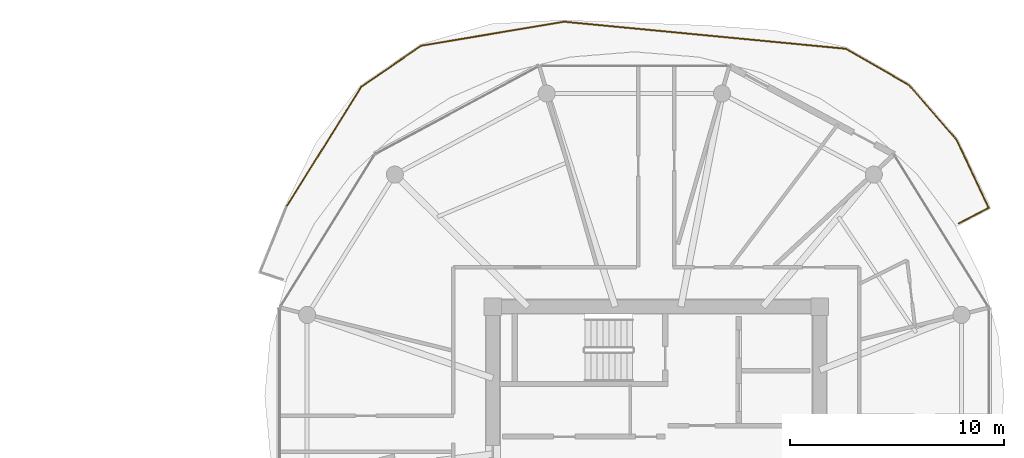
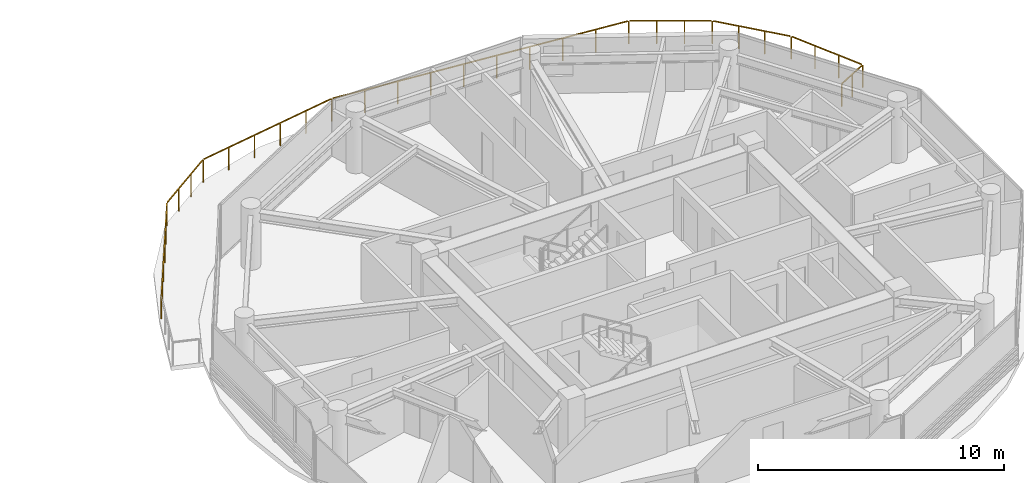
# One storey, part 22 of 22: 1 railing.
"""IFC4 building model written with IfcOpenShell, lengths in metres."""

from ifc_helpers import new_model, si_unit, direction, frame, origin, origin_2d, place, context, subcontext, project, spatial, rectangle, extrude, material, type_object, element, save


model = new_model("IFC4")

# Units and contexts
model_context = context("Model", 3, precision=1e-05, world=origin(), true_north=direction((0.0, 1.0)))
body_context = subcontext(model_context, "Body", "Model", "MODEL_VIEW")
ifc_project = project(units=[si_unit("LENGTHUNIT", "METRE"), si_unit("AREAUNIT", "SQUARE_METRE"), si_unit("VOLUMEUNIT", "CUBIC_METRE"), si_unit("PLANEANGLEUNIT", "RADIAN"), si_unit("MASSUNIT", "GRAM", prefix="KILO")], contexts=[model_context])

# Site, building, storey
site_placement = place(None, origin())
site = spatial("IfcSite", under=ifc_project, at=site_placement, CompositionType="ELEMENT")
building_placement = place(site_placement, origin())
building = spatial("IfcBuilding", under=site, at=building_placement, Name="Norrkilde Senior Care Towers", CompositionType="ELEMENT")
storey_placement = place(building_placement, frame((0.0, 0.0, 183.10009765625)))
storey = spatial("IfcBuildingStorey", under=building, at=storey_placement, Name="L57", CompositionType="ELEMENT", Elevation=183.10009765625)

# Railing
ifc_material = material(Name="Anodised Aluminium", Category="aluminium")
railing_type = type_object("IfcRailingType", Name="Balcony Swirl Ribbon Guardrail 1150", PredefinedType="GUARDRAIL", material=ifc_material)
railing_placement = place(storey_placement, frame((10.700927734375, 10.6396484375, 0.0)))
element("IfcRailing", 1, at=railing_placement, inside=storey, type_object=railing_type, Name="L57 Perimeter Safety Guard 01", PredefinedType="GUARDRAIL", context=body_context, shape_type="SweptSolid", body=[
    extrude(rectangle(XDim=0.048095703125, YDim=0.048095703125, at=origin_2d()), frame((0.0, 0.0, 1.1259765625), z_axis=(0.52947386506, 0.84832624987, 0.0), x_axis=(-0.84832624987, 0.52947386506, 0.0)), (0.0, 0.0, 1.0), 6.56396484375),
    extrude(rectangle(XDim=0.048095703125, YDim=0.048095703125, at=origin_2d()), frame((3.53076171875, 5.626220703125, 1.1259765625), z_axis=(0.824884665875, 0.565301059618, 0.0), x_axis=(-0.565301059618, 0.824884665875, 0.0)), (0.0, 0.0, 1.0), 3.321044921875),
    extrude(rectangle(XDim=0.048095703125, YDim=0.048095703125, at=origin_2d()), frame((6.34423828125, 7.533447265625, 1.1259765625), z_axis=(0.986183728193, 0.165655227044, 0.0), x_axis=(-0.165655227044, 0.986183728193, 0.0)), (0.0, 0.0, 1.0), 6.693359375),
    extrude(rectangle(XDim=0.048095703125, YDim=0.048095703125, at=origin_2d()), frame((13.026123046875, 8.64501953125, 1.1259765625), z_axis=(0.995422626112, -0.095570892141, 0.0), x_axis=(0.095570892141, 0.995422626112, 0.0)), (0.0, 0.0, 1.0), 13.166015625),
    extrude(rectangle(XDim=0.048095703125, YDim=0.048095703125, at=origin_2d()), frame((26.2080078125, 7.362548828125, 1.1259765625), z_axis=(0.866871429268, -0.498531769418, 0.0), x_axis=(0.498531769418, 0.866871429268, 0.0)), (0.0, 0.0, 1.0), 3.32177734375),
    extrude(rectangle(XDim=0.048095703125, YDim=0.048095703125, at=origin_2d()), frame((29.14990234375, 5.6552734375, 1.1259765625), z_axis=(0.656845683935, -0.75402503108, 0.0), x_axis=(0.75402503108, 0.656845683935, 0.0)), (0.0, 0.0, 1.0), 3.297119140625),
    extrude(rectangle(XDim=0.048095703125, YDim=0.048095703125, at=origin_2d()), frame((31.35986328125, 3.101318359375, 1.1259765625), z_axis=(0.426931000729, -0.904284203454, 0.0), x_axis=(0.904284203454, 0.426931000729, 0.0)), (0.0, 0.0, 1.0), 3.452880859375),
    extrude(rectangle(XDim=0.048095703125, YDim=0.048095703125, at=origin_2d()), frame((32.8154296875, -0.0771484375, 1.1259765625), z_axis=(-0.885091880728, -0.465416332619, 0.0), x_axis=(0.465416332619, -0.885091880728, 0.0)), (0.0, 0.0, 1.0), 1.54443359375),
    extrude(rectangle(XDim=0.0419921875, YDim=0.0419921875, at=origin_2d()), origin(), (0.0, 0.0, 1.0), 1.099853515625),
    extrude(rectangle(XDim=0.0419921875, YDim=0.0419921875, at=origin_2d()), frame((0.699462890625, 1.12060546875, 0.0)), (0.0, 0.0, 1.0), 1.099853515625),
    extrude(rectangle(XDim=0.0419921875, YDim=0.0419921875, at=origin_2d()), frame((1.39892578125, 2.2412109375, 0.0)), (0.0, 0.0, 1.0), 1.099853515625),
    extrude(rectangle(XDim=0.0419921875, YDim=0.0419921875, at=origin_2d()), frame((2.09814453125, 3.36181640625, 0.0)), (0.0, 0.0, 1.0), 1.099853515625),
    extrude(rectangle(XDim=0.0419921875, YDim=0.0419921875, at=origin_2d()), frame((2.797607421875, 4.482421875, 0.0)), (0.0, 0.0, 1.0), 1.099853515625),
    extrude(rectangle(XDim=0.0419921875, YDim=0.0419921875, at=origin_2d()), frame((3.4970703125, 5.60302734375, 0.0)), (0.0, 0.0, 1.0), 1.099853515625),
    extrude(rectangle(XDim=0.0419921875, YDim=0.0419921875, at=origin_2d()), frame((4.4326171875, 6.244140625, 0.0)), (0.0, 0.0, 1.0), 1.099853515625),
    extrude(rectangle(XDim=0.0419921875, YDim=0.0419921875, at=origin_2d()), frame((5.368408203125, 6.885498046875, 0.0)), (0.0, 0.0, 1.0), 1.099853515625),
    extrude(rectangle(XDim=0.0419921875, YDim=0.0419921875, at=origin_2d()), frame((6.303955078125, 7.526611328125, 0.0)), (0.0, 0.0, 1.0), 1.099853515625),
    extrude(rectangle(XDim=0.0419921875, YDim=0.0419921875, at=origin_2d()), frame((7.64013671875, 7.7509765625, 0.0)), (0.0, 0.0, 1.0), 1.099853515625),
    extrude(rectangle(XDim=0.0419921875, YDim=0.0419921875, at=origin_2d()), frame((8.9765625, 7.9755859375, 0.0)), (0.0, 0.0, 1.0), 1.099853515625),
    extrude(rectangle(XDim=0.0419921875, YDim=0.0419921875, at=origin_2d()), frame((10.312744140625, 8.199951171875, 0.0)), (0.0, 0.0, 1.0), 1.099853515625),
    extrude(rectangle(XDim=0.0419921875, YDim=0.0419921875, at=origin_2d()), frame((11.649169921875, 8.424560546875, 0.0)), (0.0, 0.0, 1.0), 1.099853515625),
    extrude(rectangle(XDim=0.0419921875, YDim=0.0419921875, at=origin_2d()), frame((12.9853515625, 8.64892578125, 0.0)), (0.0, 0.0, 1.0), 1.099853515625),
    extrude(rectangle(XDim=0.0419921875, YDim=0.0419921875, at=origin_2d()), frame((14.45068359375, 8.50830078125, 0.0)), (0.0, 0.0, 1.0), 1.099853515625),
    extrude(rectangle(XDim=0.0419921875, YDim=0.0419921875, at=origin_2d()), frame((15.915771484375, 8.36767578125, 0.0)), (0.0, 0.0, 1.0), 1.099853515625),
    extrude(rectangle(XDim=0.0419921875, YDim=0.0419921875, at=origin_2d()), frame((17.381103515625, 8.226806640625, 0.0)), (0.0, 0.0, 1.0), 1.099853515625),
    extrude(rectangle(XDim=0.0419921875, YDim=0.0419921875, at=origin_2d()), frame((18.846435546875, 8.086181640625, 0.0)), (0.0, 0.0, 1.0), 1.099853515625),
    extrude(rectangle(XDim=0.0419921875, YDim=0.0419921875, at=origin_2d()), frame((20.3115234375, 7.945556640625, 0.0)), (0.0, 0.0, 1.0), 1.099853515625),
    extrude(rectangle(XDim=0.0419921875, YDim=0.0419921875, at=origin_2d()), frame((21.77685546875, 7.804931640625, 0.0)), (0.0, 0.0, 1.0), 1.099853515625),
    extrude(rectangle(XDim=0.0419921875, YDim=0.0419921875, at=origin_2d()), frame((23.2421875, 7.6640625, 0.0)), (0.0, 0.0, 1.0), 1.099853515625),
    extrude(rectangle(XDim=0.0419921875, YDim=0.0419921875, at=origin_2d()), frame((24.707275390625, 7.5234375, 0.0)), (0.0, 0.0, 1.0), 1.099853515625),
    extrude(rectangle(XDim=0.0419921875, YDim=0.0419921875, at=origin_2d()), frame((26.172607421875, 7.3828125, 0.0)), (0.0, 0.0, 1.0), 1.099853515625),
    extrude(rectangle(XDim=0.0419921875, YDim=0.0419921875, at=origin_2d()), frame((27.156005859375, 6.817138671875, 0.0)), (0.0, 0.0, 1.0), 1.099853515625),
    extrude(rectangle(XDim=0.0419921875, YDim=0.0419921875, at=origin_2d()), frame((28.1396484375, 6.251708984375, 0.0)), (0.0, 0.0, 1.0), 1.099853515625),
    extrude(rectangle(XDim=0.0419921875, YDim=0.0419921875, at=origin_2d()), frame((29.123046875, 5.68603515625, 0.0)), (0.0, 0.0, 1.0), 1.099853515625),
    extrude(rectangle(XDim=0.0419921875, YDim=0.0419921875, at=origin_2d()), frame((29.86279296875, 4.836669921875, 0.0)), (0.0, 0.0, 1.0), 1.099853515625),
    extrude(rectangle(XDim=0.0419921875, YDim=0.0419921875, at=origin_2d()), frame((30.602783203125, 3.987548828125, 0.0)), (0.0, 0.0, 1.0), 1.099853515625),
    extrude(rectangle(XDim=0.0419921875, YDim=0.0419921875, at=origin_2d()), frame((31.342529296875, 3.13818359375, 0.0)), (0.0, 0.0, 1.0), 1.099853515625),
    extrude(rectangle(XDim=0.0419921875, YDim=0.0419921875, at=origin_2d()), frame((31.845458984375, 2.07275390625, 0.0)), (0.0, 0.0, 1.0), 1.099853515625),
    extrude(rectangle(XDim=0.0419921875, YDim=0.0419921875, at=origin_2d()), frame((32.3486328125, 1.00732421875, 0.0)), (0.0, 0.0, 1.0), 1.099853515625),
    extrude(rectangle(XDim=0.0419921875, YDim=0.0419921875, at=origin_2d()), frame((32.8515625, -0.05810546875, 0.0)), (0.0, 0.0, 1.0), 1.099853515625),
    extrude(rectangle(XDim=0.0419921875, YDim=0.0419921875, at=origin_2d()), frame((32.14990234375, -0.427001953125, 0.0)), (0.0, 0.0, 1.0), 1.099853515625),
    extrude(rectangle(XDim=0.0419921875, YDim=0.0419921875, at=origin_2d()), frame((31.448486328125, -0.7958984375, 0.0)), (0.0, 0.0, 1.0), 1.099853515625),
])

save(model, "model.ifc")
